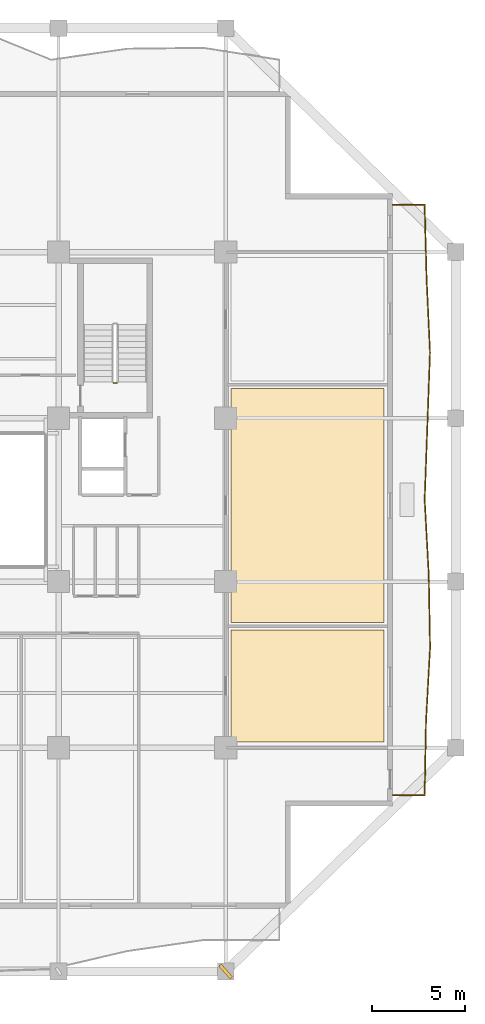
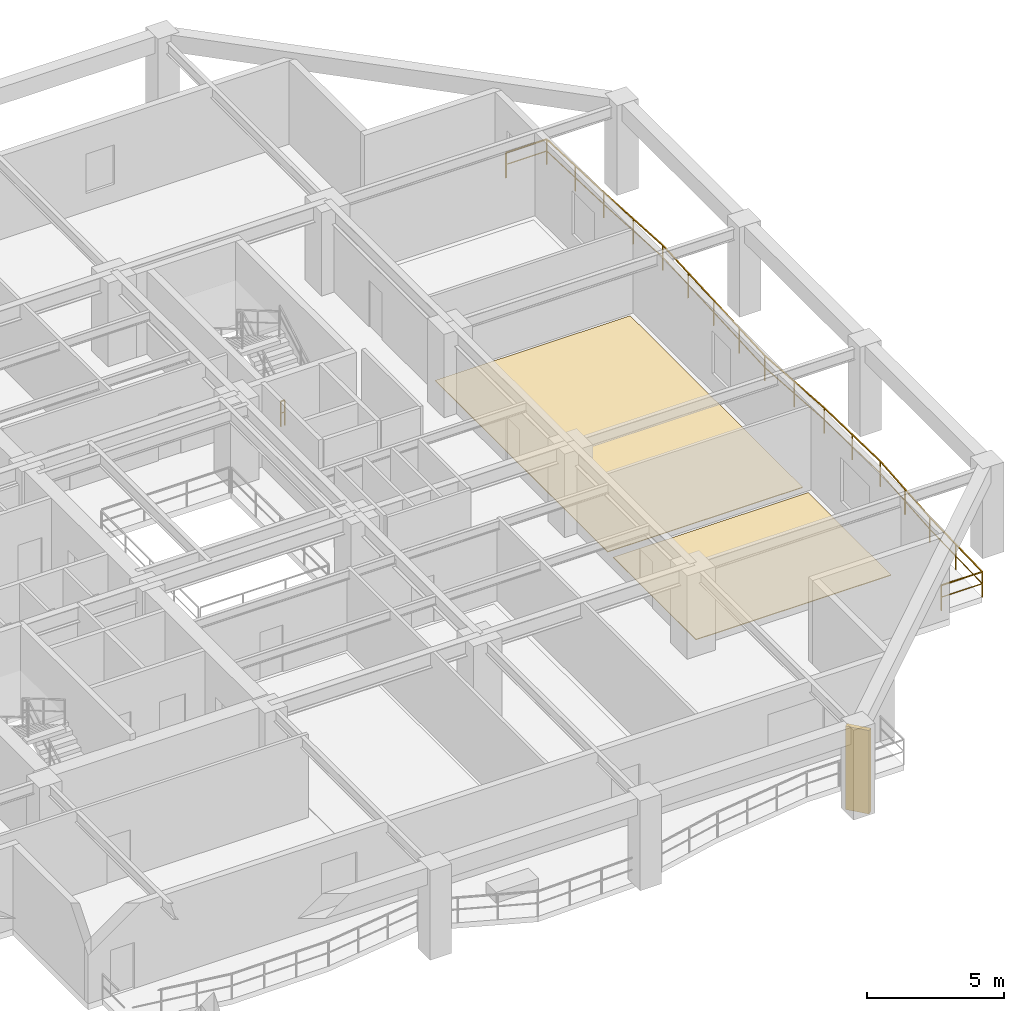
# One storey, part 9 of 12: 2 coverings, 2 railings, 1 shading device.
"""IFC4 building model written with IfcOpenShell, lengths in metres."""

from ifc_helpers import new_model, si_unit, direction, frame, origin, origin_2d, place, context, subcontext, project, spatial, polyline, rectangle, outline, extrude, material, layer, layer_set, type_object, element, save


model = new_model("IFC4")

# Units and contexts
model_context = context("Model", 3, precision=1e-05, world=origin(), true_north=direction((0.0, 1.0)))
body_context = subcontext(model_context, "Body", "Model", "MODEL_VIEW")
ifc_project = project(units=[si_unit("LENGTHUNIT", "METRE"), si_unit("AREAUNIT", "SQUARE_METRE"), si_unit("VOLUMEUNIT", "CUBIC_METRE"), si_unit("PLANEANGLEUNIT", "RADIAN"), si_unit("MASSUNIT", "GRAM", prefix="KILO")], contexts=[model_context])

# Site, building, storey
site_placement = place(None, origin())
site = spatial("IfcSite", under=ifc_project, at=site_placement, CompositionType="ELEMENT")
building_placement = place(site_placement, origin())
building = spatial("IfcBuilding", under=site, at=building_placement, Name="Kundavana Baori Tower", CompositionType="ELEMENT")
storey_placement = place(building_placement, frame((0.0, 0.0, 46.0)))
storey = spatial("IfcBuildingStorey", under=building, at=storey_placement, Name="L10", CompositionType="ELEMENT", Elevation=46.0)

# Coverings
ifc_material_1 = material(Name="Honed Kota Stone and Terrazzo Flooring", Category="masonry")
ifc_layer = layer(ifc_material_1, 0.030029296875, Name="COV-INT-FLR")
ifc_layer_set = layer_set([ifc_layer], Name="Honed Kota Stone and Terrazzo Flooring")
covering_type = type_object("IfcCoveringType", Name="COV-INT-FLR", PredefinedType="FLOORING", material=ifc_layer_set)
covering_1_placement = place(storey_placement, origin())
element("IfcCovering", 1, at=covering_1_placement, inside=storey, type_object=covering_type, Name="L10 Room Finished Stone Flooring 5", PredefinedType="FLOORING", context=body_context, shape_type="SweptSolid", body=[
    extrude(outline(polyline([(43.10009765625, 15.550048828125), (51.320068359375, 15.550048828125), (51.320068359375, 21.60009765625), (43.10009765625, 21.60009765625), (43.10009765625, 15.550048828125)])), origin(), (0.0, 0.0, 1.0), 0.030029296875),
])
covering_2_placement = place(storey_placement, origin())
element("IfcCovering", 2, at=covering_2_placement, inside=storey, type_object=covering_type, Name="L10 Room Finished Stone Flooring 6", PredefinedType="FLOORING", context=body_context, shape_type="SweptSolid", body=[
    extrude(outline(polyline([(43.10009765625, 22.0), (51.320068359375, 22.0), (51.320068359375, 34.60009765625), (43.10009765625, 34.60009765625), (43.10009765625, 22.0)])), origin(), (0.0, 0.0, 1.0), 0.030029296875),
])

# Railings
ifc_material_2 = material(Name="Architectural Patinated Bronze Metalwork")
railing_type_1 = type_object("IfcRailingType", Name="RL-BAL-1150", PredefinedType="BALUSTRADE", material=ifc_material_2)
railing_1_placement = place(storey_placement, frame((51.800048828125, 44.5, 0.0)))
element("IfcRailing", 3, at=railing_1_placement, inside=storey, type_object=railing_type_1, Name="L10 Loggia Balcony Balustrade E", PredefinedType="BALUSTRADE", context=body_context, shape_type="SweptSolid", body=[
    extrude(rectangle(XDim=0.048095703125, YDim=0.048095703125, at=origin_2d()), frame((0.0, 0.0, 1.1259765625), z_axis=(1.0, 0.0, 0.0), x_axis=(0.0, 1.0, 0.0)), (0.0, 0.0, 1.0), 1.719970703125),
    extrude(rectangle(XDim=0.03125, YDim=0.03125, at=origin_2d()), frame((0.0, 0.0, 0.597900390625), z_axis=(1.0, 0.0, 0.0), x_axis=(0.0, 1.0, 0.0)), (0.0, 0.0, 1.0), 1.719970703125),
    extrude(rectangle(XDim=0.048095703125, YDim=0.048095703125, at=origin_2d()), frame((1.719970703125, 0.0, 1.1259765625), z_axis=(0.026891143907, -0.999638367801, 0.0), x_axis=(0.999638367801, 0.026891143907, 0.0)), (0.0, 0.0, 1.0), 3.9765625),
    extrude(rectangle(XDim=0.03125, YDim=0.03125, at=origin_2d()), frame((1.719970703125, 0.0, 0.597900390625), z_axis=(0.026891143907, -0.999638367801, 0.0), x_axis=(0.999638367801, 0.026891143907, 0.0)), (0.0, 0.0, 1.0), 3.9765625),
    extrude(rectangle(XDim=0.048095703125, YDim=0.048095703125, at=origin_2d()), frame((1.826904296875, -3.97509765625, 1.1259765625), z_axis=(0.046262067465, -0.998929337398, 0.0), x_axis=(0.998929337398, 0.046262067465, 0.0)), (0.0, 0.0, 1.0), 3.97900390625),
    extrude(rectangle(XDim=0.03125, YDim=0.03125, at=origin_2d()), frame((1.826904296875, -3.97509765625, 0.597900390625), z_axis=(0.046262067465, -0.998929337398, 0.0), x_axis=(0.998929337398, 0.046262067465, 0.0)), (0.0, 0.0, 1.0), 3.97900390625),
    extrude(rectangle(XDim=0.048095703125, YDim=0.048095703125, at=origin_2d()), frame((2.010986328125, -7.949951171875, 1.1259765625), z_axis=(-0.035967377302, -0.999352964558, 0.0), x_axis=(0.999352964558, -0.035967377302, 0.0)), (0.0, 0.0, 1.0), 3.977783203125),
    extrude(rectangle(XDim=0.03125, YDim=0.03125, at=origin_2d()), frame((2.010986328125, -7.949951171875, 0.597900390625), z_axis=(-0.035967377302, -0.999352964558, 0.0), x_axis=(0.999352964558, -0.035967377302, 0.0)), (0.0, 0.0, 1.0), 3.977783203125),
    extrude(rectangle(XDim=0.048095703125, YDim=0.048095703125, at=origin_2d()), frame((1.867919921875, -11.925048828125, 1.1259765625), z_axis=(-0.036214788854, -0.999344029385, 0.0), x_axis=(0.999344029385, -0.036214788854, 0.0)), (0.0, 0.0, 1.0), 3.9775390625),
    extrude(rectangle(XDim=0.03125, YDim=0.03125, at=origin_2d()), frame((1.867919921875, -11.925048828125, 0.597900390625), z_axis=(-0.036214788854, -0.999344029385, 0.0), x_axis=(0.999344029385, -0.036214788854, 0.0)), (0.0, 0.0, 1.0), 3.9775390625),
    extrude(rectangle(XDim=0.048095703125, YDim=0.048095703125, at=origin_2d()), frame((1.723876953125, -15.89990234375, 1.1259765625), z_axis=(0.054763537703, -0.998499351496, 0.0), x_axis=(0.998499351496, 0.054763537703, 0.0)), (0.0, 0.0, 1.0), 3.98095703125),
    extrude(rectangle(XDim=0.03125, YDim=0.03125, at=origin_2d()), frame((1.723876953125, -15.89990234375, 0.597900390625), z_axis=(0.054763537703, -0.998499351496, 0.0), x_axis=(0.998499351496, 0.054763537703, 0.0)), (0.0, 0.0, 1.0), 3.98095703125),
    extrude(rectangle(XDim=0.048095703125, YDim=0.048095703125, at=origin_2d()), frame((1.94189453125, -19.875, 1.1259765625), z_axis=(0.018606285904, -0.999826888079, 0.0), x_axis=(0.999826888079, 0.018606285904, 0.0)), (0.0, 0.0, 1.0), 3.975830078125),
    extrude(rectangle(XDim=0.03125, YDim=0.03125, at=origin_2d()), frame((1.94189453125, -19.875, 0.597900390625), z_axis=(0.018606285904, -0.999826888079, 0.0), x_axis=(0.999826888079, 0.018606285904, 0.0)), (0.0, 0.0, 1.0), 3.975830078125),
    extrude(rectangle(XDim=0.048095703125, YDim=0.048095703125, at=origin_2d()), frame((2.015869140625, -23.85009765625, 1.1259765625), z_axis=(-0.055011466943, -0.998485722735, 0.0), x_axis=(0.998485722735, -0.055011466943, 0.0)), (0.0, 0.0, 1.0), 3.98095703125),
    extrude(rectangle(XDim=0.03125, YDim=0.03125, at=origin_2d()), frame((2.015869140625, -23.85009765625, 0.597900390625), z_axis=(-0.055011466943, -0.998485722735, 0.0), x_axis=(0.998485722735, -0.055011466943, 0.0)), (0.0, 0.0, 1.0), 3.98095703125),
    extrude(rectangle(XDim=0.048095703125, YDim=0.048095703125, at=origin_2d()), frame((1.796875, -27.824951171875, 1.1259765625), z_axis=(-0.019342898061, -0.999812908646, 0.0), x_axis=(0.999812908646, -0.019342898061, 0.0)), (0.0, 0.0, 1.0), 3.975830078125),
    extrude(rectangle(XDim=0.03125, YDim=0.03125, at=origin_2d()), frame((1.796875, -27.824951171875, 0.597900390625), z_axis=(-0.019342898061, -0.999812908646, 0.0), x_axis=(0.999812908646, -0.019342898061, 0.0)), (0.0, 0.0, 1.0), 3.975830078125),
    extrude(rectangle(XDim=0.048095703125, YDim=0.048095703125, at=origin_2d()), frame((1.719970703125, -31.800048828125, 1.1259765625), z_axis=(-1.0, 0.0, 0.0), x_axis=(0.0, -1.0, 0.0)), (0.0, 0.0, 1.0), 1.719970703125),
    extrude(rectangle(XDim=0.03125, YDim=0.03125, at=origin_2d()), frame((1.719970703125, -31.800048828125, 0.597900390625), z_axis=(-1.0, 0.0, 0.0), x_axis=(0.0, -1.0, 0.0)), (0.0, 0.0, 1.0), 1.719970703125),
    extrude(rectangle(XDim=0.0419921875, YDim=0.0419921875, at=origin_2d()), origin(), (0.0, 0.0, 1.0), 1.101806640625),
    extrude(rectangle(XDim=0.0419921875, YDim=0.0419921875, at=origin_2d()), frame((1.719970703125, 0.0, 0.0)), (0.0, 0.0, 1.0), 1.101806640625),
    extrude(rectangle(XDim=0.0419921875, YDim=0.0419921875, at=origin_2d()), frame((1.7734375, -1.987548828125, 0.0)), (0.0, 0.0, 1.0), 1.101806640625),
    extrude(rectangle(XDim=0.0419921875, YDim=0.0419921875, at=origin_2d()), frame((1.826904296875, -3.97509765625, 0.0)), (0.0, 0.0, 1.0), 1.101806640625),
    extrude(rectangle(XDim=0.0419921875, YDim=0.0419921875, at=origin_2d()), frame((1.9189453125, -5.96240234375, 0.0)), (0.0, 0.0, 1.0), 1.101806640625),
    extrude(rectangle(XDim=0.0419921875, YDim=0.0419921875, at=origin_2d()), frame((2.010986328125, -7.949951171875, 0.0)), (0.0, 0.0, 1.0), 1.101806640625),
    extrude(rectangle(XDim=0.0419921875, YDim=0.0419921875, at=origin_2d()), frame((1.939453125, -9.9375, 0.0)), (0.0, 0.0, 1.0), 1.101806640625),
    extrude(rectangle(XDim=0.0419921875, YDim=0.0419921875, at=origin_2d()), frame((1.867919921875, -11.925048828125, 0.0)), (0.0, 0.0, 1.0), 1.101806640625),
    extrude(rectangle(XDim=0.0419921875, YDim=0.0419921875, at=origin_2d()), frame((1.7958984375, -13.91259765625, 0.0)), (0.0, 0.0, 1.0), 1.101806640625),
    extrude(rectangle(XDim=0.0419921875, YDim=0.0419921875, at=origin_2d()), frame((1.723876953125, -15.89990234375, 0.0)), (0.0, 0.0, 1.0), 1.101806640625),
    extrude(rectangle(XDim=0.0419921875, YDim=0.0419921875, at=origin_2d()), frame((1.8330078125, -17.887451171875, 0.0)), (0.0, 0.0, 1.0), 1.101806640625),
    extrude(rectangle(XDim=0.0419921875, YDim=0.0419921875, at=origin_2d()), frame((1.94189453125, -19.875, 0.0)), (0.0, 0.0, 1.0), 1.101806640625),
    extrude(rectangle(XDim=0.0419921875, YDim=0.0419921875, at=origin_2d()), frame((1.97900390625, -21.862548828125, 0.0)), (0.0, 0.0, 1.0), 1.101806640625),
    extrude(rectangle(XDim=0.0419921875, YDim=0.0419921875, at=origin_2d()), frame((2.015869140625, -23.85009765625, 0.0)), (0.0, 0.0, 1.0), 1.101806640625),
    extrude(rectangle(XDim=0.0419921875, YDim=0.0419921875, at=origin_2d()), frame((1.90625, -25.83740234375, 0.0)), (0.0, 0.0, 1.0), 1.101806640625),
    extrude(rectangle(XDim=0.0419921875, YDim=0.0419921875, at=origin_2d()), frame((1.796875, -27.824951171875, 0.0)), (0.0, 0.0, 1.0), 1.101806640625),
    extrude(rectangle(XDim=0.0419921875, YDim=0.0419921875, at=origin_2d()), frame((1.75830078125, -29.8125, 0.0)), (0.0, 0.0, 1.0), 1.101806640625),
    extrude(rectangle(XDim=0.0419921875, YDim=0.0419921875, at=origin_2d()), frame((1.719970703125, -31.800048828125, 0.0)), (0.0, 0.0, 1.0), 1.101806640625),
    extrude(rectangle(XDim=0.0419921875, YDim=0.0419921875, at=origin_2d()), frame((0.0, -31.800048828125, 0.0)), (0.0, 0.0, 1.0), 1.101806640625),
])
ifc_material_3 = material(Name="Architectural Patinated Bronze Metalwork")
railing_type_2 = type_object("IfcRailingType", Name="RL-GRD-1150", PredefinedType="GUARDRAIL", material=ifc_material_3)
railing_2_placement = place(storey_placement, frame((36.929931640625, 34.89990234375, 0.0)))
element("IfcRailing", 4, at=railing_2_placement, inside=storey, type_object=railing_type_2, Name="L10 ST3 stair guard 4", PredefinedType="GUARDRAIL", context=body_context, shape_type="SweptSolid", body=[
    extrude(rectangle(XDim=0.048095703125, YDim=0.048095703125, at=origin_2d()), frame((0.0, 0.0, 1.1259765625), z_axis=(-1.0, 0.0, 0.0), x_axis=(0.0, -1.0, 0.0)), (0.0, 0.0, 1.0), 0.159912109375),
    extrude(rectangle(XDim=0.03125, YDim=0.03125, at=origin_2d()), frame((0.0, 0.0, 0.597900390625), z_axis=(-1.0, 0.0, 0.0), x_axis=(0.0, -1.0, 0.0)), (0.0, 0.0, 1.0), 0.159912109375),
    extrude(rectangle(XDim=0.0419921875, YDim=0.0419921875, at=origin_2d()), origin(), (0.0, 0.0, 1.0), 1.101806640625),
    extrude(rectangle(XDim=0.0419921875, YDim=0.0419921875, at=origin_2d()), frame((-0.159912109375, 0.0, 0.0)), (0.0, 0.0, 1.0), 1.101806640625),
])

# Shading device
ifc_material_4 = material(Name="Red-Buff Dholpur Sandstone Cladding on Concrete C40/50", Category="masonry")
shading_device_type = type_object("IfcShadingDeviceType", Name="SHD-FIN-920", PredefinedType="JALOUSIE", material=ifc_material_4)
shading_device_placement = place(storey_placement, frame((42.800048828125, 3.199951171875, 0.0), z_axis=(0.0, 0.0, 1.0), x_axis=(0.750341865315, 0.661049986881, 0.0)))
element("IfcShadingDevice", 5, at=shading_device_placement, inside=storey, type_object=shading_device_type, Name="L10 Sweeping Dholpur Sandstone Facade Fin 4", PredefinedType="JALOUSIE", context=body_context, shape_type="SweptSolid", body=[
    extrude(rectangle(XDim=0.179931640625, YDim=0.919921875, at=origin_2d()), origin(), (0.0, 0.0, 1.0), 3.719970703125),
])

save(model, "model.ifc")
